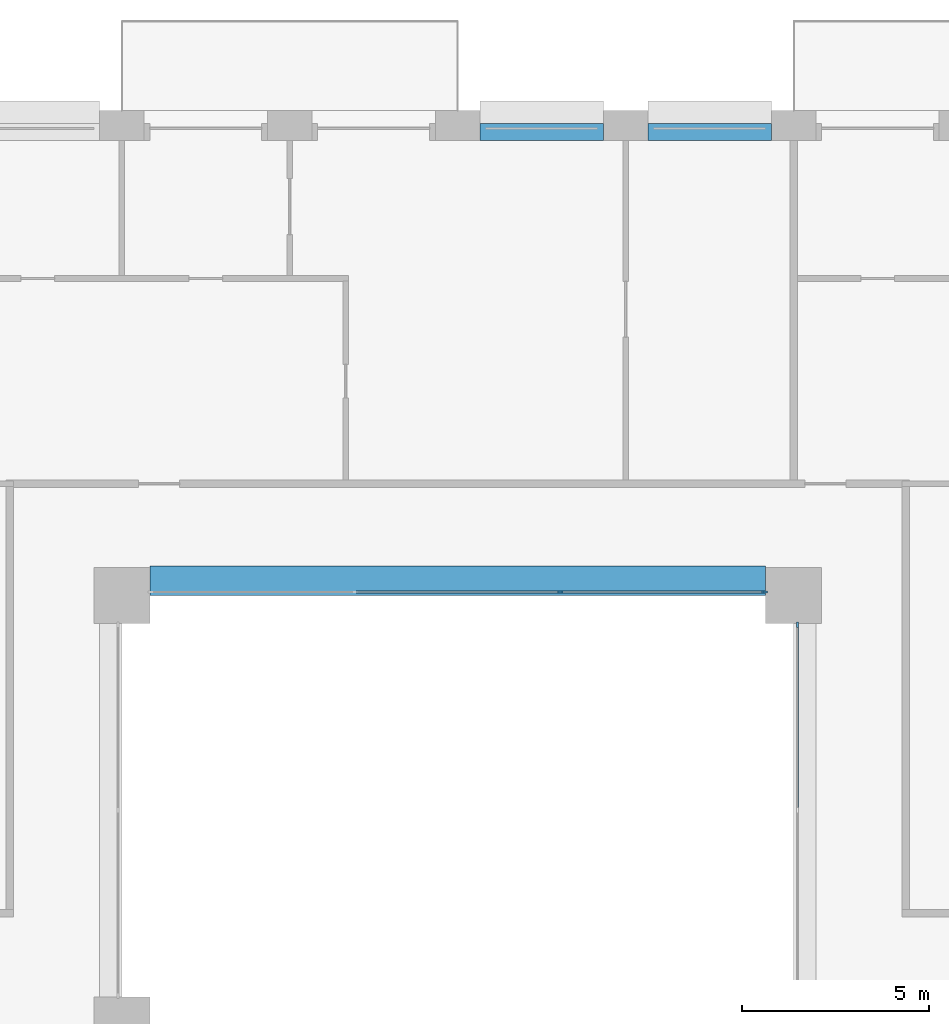
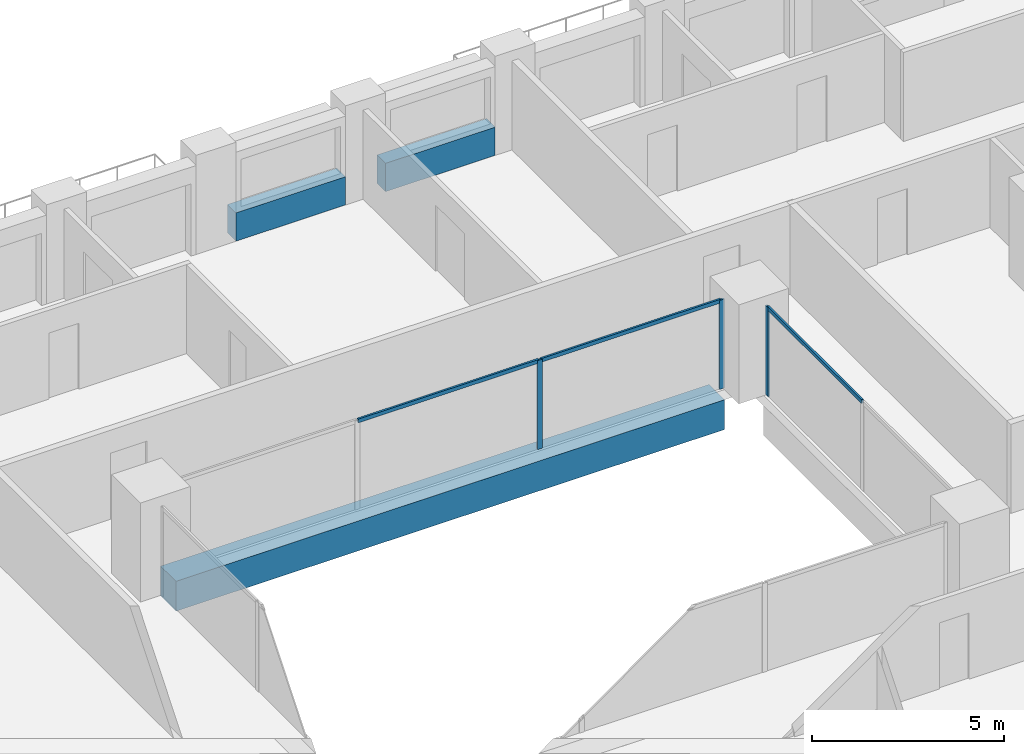
# One storey, part 7 of 21: 6 members, 3 beams, 2 elements without a shape of their own.
"""IFC4 building model written with IfcOpenShell, lengths in metres."""

from ifc_helpers import new_model, si_unit, direction, frame, origin, origin_2d, place, context, subcontext, project, spatial, rectangle, extrude, material, layer, layer_set, material_profile, profile_set, type_object, element, aggregate, save


model = new_model("IFC4")

# Units and contexts
model_context = context("Model", 3, precision=1e-05, world=origin(), true_north=direction((0.0, 1.0)))
body_context = subcontext(model_context, "Body", "Model", "MODEL_VIEW")
ifc_project = project(units=[si_unit("LENGTHUNIT", "METRE"), si_unit("AREAUNIT", "SQUARE_METRE"), si_unit("VOLUMEUNIT", "CUBIC_METRE"), si_unit("PLANEANGLEUNIT", "RADIAN"), si_unit("MASSUNIT", "GRAM", prefix="KILO")], contexts=[model_context])

# Site, building, storey
site_placement = place(None, origin())
site = spatial("IfcSite", under=ifc_project, at=site_placement, CompositionType="ELEMENT")
building_placement = place(site_placement, origin())
building = spatial("IfcBuilding", under=site, at=building_placement, Name="Brigalow Station Residences", CompositionType="ELEMENT")
storey_placement = place(building_placement, frame((0.0, 0.0, 51.0)))
storey = spatial("IfcBuildingStorey", under=building, at=storey_placement, Name="L14", CompositionType="ELEMENT", Elevation=51.0)

# Beam
ifc_material_1 = material(Name="Concrete C65", Category="concrete")
ifc_material_profile_1 = material_profile(ifc_material_1, rectangle(XDim=0.800048828125, YDim=0.949951171875, at=origin_2d()), Name="RC800x950")
ifc_profile_set_1 = profile_set([ifc_material_profile_1], Name="Concrete C65")
beam_type_1 = type_object("IfcBeamType", Name="ATRIUM EDGE GIRDER OVER 13.5 M SPAN 800x950 C65", PredefinedType="BEAM", material=ifc_profile_set_1)
beam_placement = place(storey_placement, frame((27.75, 35.89990234375, -0.794921875), z_axis=(1.0, 0.0, 0.0), x_axis=(0.0, 1.0, 0.0)))
element("IfcBeam", 1, at=beam_placement, inside=storey, type_object=beam_type_1, Name="ATRIUM EDGE GIRDER D L14", PredefinedType="BEAM", context=body_context, shape_type="SweptSolid", body=[
    extrude(rectangle(XDim=0.800048828125, YDim=0.949951171875, at=origin_2d()), origin(), (0.0, 0.0, 1.0), 16.5),
])

# Curtain wall, member
ifc_material_2 = material(Name="Aluminium", Category="aluminium")
ifc_layer = layer(ifc_material_2, 0.14990234375)
ifc_layer_set = layer_set([ifc_layer], Name="ATRIUM FIRE-RATED GLAZING CURTAIN WALL")
curtain_wall_type = type_object("IfcCurtainWallType", Name="ATRIUM FIRE-RATED GLAZING CURTAIN WALL", PredefinedType="NOTDEFINED", material=ifc_layer_set)
curtain_wall_1_placement = place(storey_placement, origin())
curtain_wall_1 = element("IfcCurtainWall", 2, at=curtain_wall_1_placement, inside=storey, type_object=curtain_wall_type, Name="L14/cw/atrium-E", PredefinedType="NOTDEFINED")
ifc_material_3 = material(Name="Aluminium", Category="aluminium")
ifc_material_profile_2 = material_profile(ifc_material_3, rectangle(XDim=0.06005859375, YDim=0.14990234375, at=origin_2d()), Name="ATRIUM FIRE-RATED GLAZING MULLION 60x150")
ifc_profile_set_2 = profile_set([ifc_material_profile_2], Name="Aluminium")
member_type_1 = type_object("IfcMemberType", Name="ATRIUM FIRE-RATED GLAZING MULLION 60x150", PredefinedType="MULLION", material=ifc_profile_set_2)
member_1_placement = place(storey_placement, frame((45.10009765625, 34.719970703125, 0.0), z_axis=(0.0, 0.0, 1.0), x_axis=(-1.0, 0.0, 0.0)))
member_1 = element("IfcMember", 3, at=member_1_placement, type_object=member_type_1, Name="L14/cw/atrium-E/M02", PredefinedType="MULLION", context=body_context, shape_type="SweptSolid", body=[
    extrude(rectangle(XDim=0.06005859375, YDim=0.14990234375, at=origin_2d()), origin(), (0.0, 0.0, 1.0), 2.830078125),
])

# Curtain wall, members
curtain_wall_2_placement = place(storey_placement, origin())
curtain_wall_2 = element("IfcCurtainWall", 4, at=curtain_wall_2_placement, inside=storey, type_object=curtain_wall_type, Name="L14/cw/atrium-N", PredefinedType="NOTDEFINED")
member_2_placement = place(storey_placement, frame((44.219970703125, 35.60009765625, 0.0), z_axis=(0.0, 0.0, 1.0), x_axis=(0.0, -1.0, 0.0)))
member_2 = element("IfcMember", 5, at=member_2_placement, type_object=member_type_1, Name="L14/cw/atrium-N/M00", PredefinedType="MULLION", context=body_context, shape_type="SweptSolid", body=[
    extrude(rectangle(XDim=0.06005859375, YDim=0.14990234375, at=origin_2d()), origin(), (0.0, 0.0, 1.0), 2.830078125),
])
member_3_placement = place(storey_placement, frame((38.75, 35.60009765625, 0.0), z_axis=(0.0, 0.0, 1.0), x_axis=(0.0, -1.0, 0.0)))
member_3 = element("IfcMember", 6, at=member_3_placement, type_object=member_type_1, Name="L14/cw/atrium-N/M01", PredefinedType="MULLION", context=body_context, shape_type="SweptSolid", body=[
    extrude(rectangle(XDim=0.06005859375, YDim=0.14990234375, at=origin_2d()), origin(), (0.0, 0.0, 1.0), 2.830078125),
])

# Member
ifc_material_4 = material(Name="Aluminium", Category="aluminium")
ifc_material_profile_3 = material_profile(ifc_material_4, rectangle(XDim=0.06005859375, YDim=0.1201171875, at=origin_2d()), Name="ATRIUM FIRE-RATED GLAZING TRANSOM 60x120")
ifc_profile_set_3 = profile_set([ifc_material_profile_3], Name="Aluminium")
member_type_2 = type_object("IfcMemberType", Name="ATRIUM FIRE-RATED GLAZING TRANSOM 60x120", PredefinedType="USERDEFINED", material=ifc_profile_set_3)
member_4_placement = place(storey_placement, frame((45.10009765625, 29.780029296875, 2.800048828125), z_axis=(0.0, 1.0, 0.0), x_axis=(-1.0, 0.0, 0.0)))
member_4 = element("IfcMember", 7, at=member_4_placement, type_object=member_type_2, Name="L14/cw/atrium-E/T01-00", ObjectType="TRANSOM", PredefinedType="USERDEFINED", context=body_context, shape_type="SweptSolid", body=[
    extrude(rectangle(XDim=0.06005859375, YDim=0.1201171875, at=origin_2d()), origin(), (0.0, 0.0, 1.0), 4.909912109375),
])

aggregate(curtain_wall_1, [member_1, member_4])

member_5_placement = place(storey_placement, frame((44.18994140625, 35.60009765625, 2.800048828125), z_axis=(-1.0, 0.0, 0.0), x_axis=(0.0, -1.0, 0.0)))
member_5 = element("IfcMember", 8, at=member_5_placement, type_object=member_type_2, Name="L14/cw/atrium-N/T00-00", ObjectType="TRANSOM", PredefinedType="USERDEFINED", context=body_context, shape_type="SweptSolid", body=[
    extrude(rectangle(XDim=0.06005859375, YDim=0.1201171875, at=origin_2d()), origin(), (0.0, 0.0, 1.0), 5.409912109375),
])

member_6_placement = place(storey_placement, frame((38.719970703125, 35.60009765625, 2.800048828125), z_axis=(-1.0, 0.0, 0.0), x_axis=(0.0, -1.0, 0.0)))
member_6 = element("IfcMember", 9, at=member_6_placement, type_object=member_type_2, Name="L14/cw/atrium-N/T01-00", ObjectType="TRANSOM", PredefinedType="USERDEFINED", context=body_context, shape_type="SweptSolid", body=[
    extrude(rectangle(XDim=0.06005859375, YDim=0.1201171875, at=origin_2d()), origin(), (0.0, 0.0, 1.0), 5.43994140625),
])

aggregate(curtain_wall_2, [member_2, member_3, member_5, member_6])

# Beams
ifc_material_5 = material(Name="Concrete C65", Category="concrete")
ifc_material_profile_4 = material_profile(ifc_material_5, rectangle(XDim=0.449951171875, YDim=0.89990234375, at=origin_2d()), Name="RC450x900")
ifc_profile_set_4 = profile_set([ifc_material_profile_4], Name="Concrete C65")
beam_type_2 = type_object("IfcBeamType", Name="SPANDREL BEAM 450x900 C65", PredefinedType="SPANDREL", material=ifc_profile_set_4)
for number, where, z_axis, x_axis, name in (
    (10, (44.39990234375, 47.925048828125, 0.449951171875), (-1.0, 0.0, 0.0), (0.0, -1.0, 0.0), "L14/spandrel/W-L14-31"),
    (11, (39.89990234375, 47.925048828125, 0.449951171875), (-1.0, 0.0, 0.0), (0.0, -1.0, 0.0), "L14/spandrel/W-L14-32"),
):
    element("IfcBeam", number, at=place(storey_placement, frame(where, z_axis=z_axis, x_axis=x_axis)), inside=storey, type_object=beam_type_2, Name=name, PredefinedType="SPANDREL", context=body_context, shape_type="SweptSolid", body=[
        extrude(rectangle(XDim=0.449951171875, YDim=0.89990234375, at=origin_2d()), origin(), (0.0, 0.0, 1.0), 3.2998046875),
    ])

save(model, "model.ifc")
